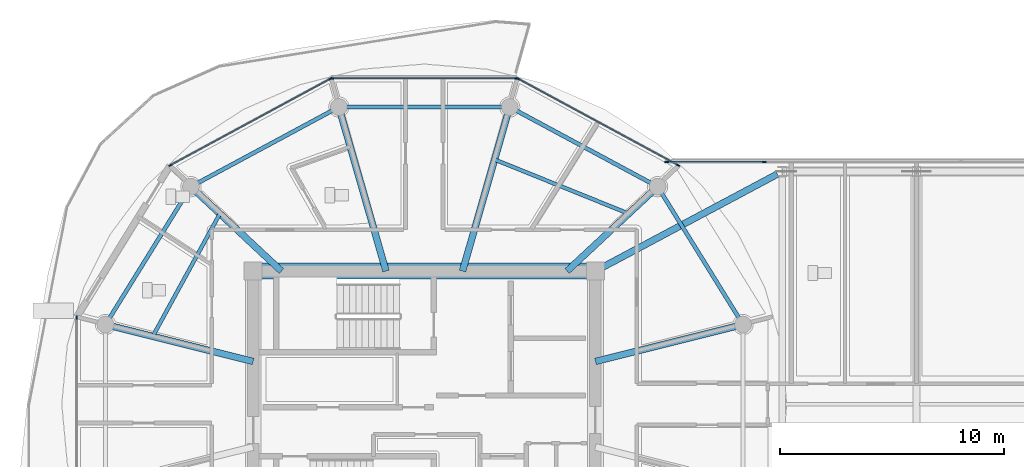
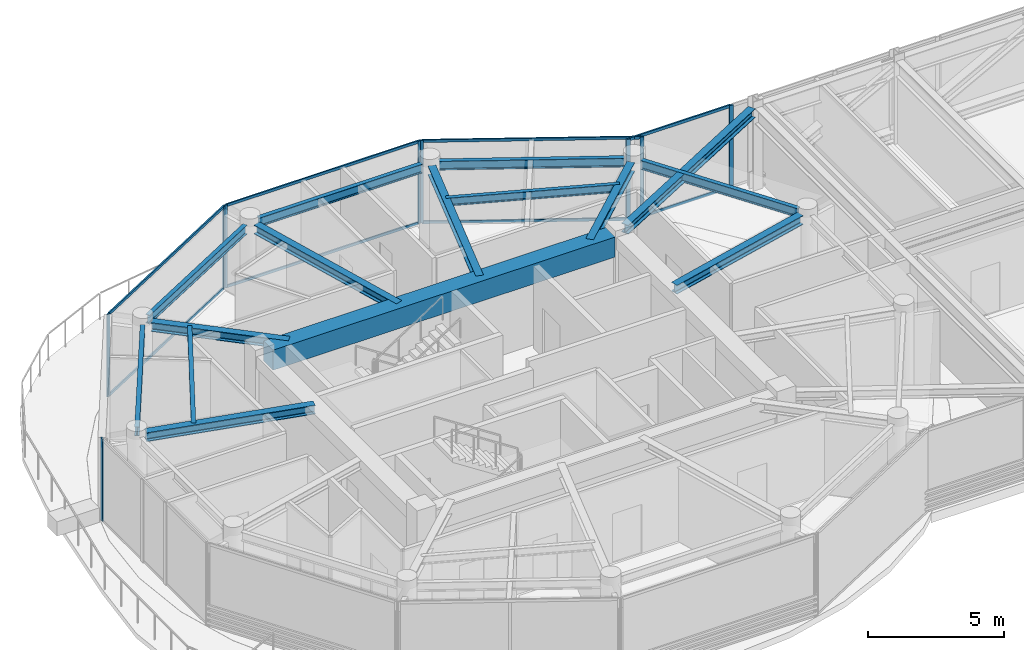
# One storey, part 5 of 31: 17 members, 15 beams, 5 elements without a shape of their own.
"""IFC4 building model written with IfcOpenShell, lengths in metres."""

from ifc_helpers import new_model, si_unit, direction, frame, origin, origin_2d, place, context, subcontext, project, spatial, rectangle, i_section, extrude, source, transform, mapped, material, layer, layer_set, material_profile, profile_set, type_object, type_shapes, element, aggregate, save


model = new_model("IFC4")

# Units and contexts
model_context = context("Model", 3, precision=1e-05, world=origin(), true_north=direction((0.0, 1.0)))
body_context = subcontext(model_context, "Body", "Model", "MODEL_VIEW")
ifc_project = project(units=[si_unit("LENGTHUNIT", "METRE"), si_unit("AREAUNIT", "SQUARE_METRE"), si_unit("VOLUMEUNIT", "CUBIC_METRE"), si_unit("PLANEANGLEUNIT", "RADIAN"), si_unit("MASSUNIT", "GRAM", prefix="KILO")], contexts=[model_context])

# Site, building, storey
site_placement = place(None, origin())
site = spatial("IfcSite", under=ifc_project, at=site_placement, CompositionType="ELEMENT")
building_placement = place(site_placement, origin())
building = spatial("IfcBuilding", under=site, at=building_placement, Name="Norrkilde Senior Care Towers", CompositionType="ELEMENT")
storey_placement = place(building_placement, frame((0.0, 0.0, 199.800048828125)))
storey = spatial("IfcBuildingStorey", under=building, at=storey_placement, Name="L62", CompositionType="ELEMENT", Elevation=199.800048828125)

# Beams
ifc_material_1 = material(Name="Concrete C60/75", Category="concrete")
ifc_material_profile_1 = material_profile(ifc_material_1, rectangle(XDim=0.699951171875, YDim=0.89990234375, at=origin_2d()), Name="RC BM 700x900")
ifc_profile_set_1 = profile_set([ifc_material_profile_1], Name="Concrete C60/75")
beam_type_1 = type_object("IfcBeamType", Name="Core Coupling Girder 700x900", PredefinedType="USERDEFINED", material=ifc_profile_set_1)
shared_shape_1 = source(origin(), body_context, "Body", "SweptSolid", [
    extrude(rectangle(XDim=0.699951171875, YDim=0.89990234375, at=origin_2d()), origin(), (0.0, 0.0, 1.0), 14.5400390625),
])
type_shapes(beam_type_1, [shared_shape_1])
beam_1_placement = place(storey_placement, frame((-35.27001953125, 5.949951171875, 3.260009765625), z_axis=(1.0, 0.0, 0.0), x_axis=(0.0, 1.0, 0.0)))
element("IfcBeam", 1, at=beam_1_placement, inside=storey, type_object=beam_type_1, Name="L62 Core W N Coupling Girder", ObjectType="GIRDER", PredefinedType="USERDEFINED", context=body_context, shape_type="MappedRepresentation", body=[
    mapped(shared_shape_1, transform((0.0, 0.0, 0.0), x_axis=(1.0, 0.0, 0.0), y_axis=(0.0, 1.0, 0.0), z_axis=(0.0, 0.0, 1.0), scale=1.0)),
])
ifc_material_2 = material(Name="Steel S355", Category="steel")
ifc_material_profile_2 = material_profile(ifc_material_2, i_section(OverallWidth=0.179931640625, OverallDepth=0.39990234375, WebThickness=0.008544921875, FlangeThickness=0.013427734375, FilletRadius=0.02099609375, at=origin_2d()), Name="IPE 400")
ifc_profile_set_2 = profile_set([ifc_material_profile_2], Name="Steel S355")
beam_type_2 = type_object("IfcBeamType", Name="Perimeter Ring Spandrel Z4 IPE400", PredefinedType="SPANDREL", material=ifc_profile_set_2)
shared_shape_2 = source(origin(), body_context, "Body", "SweptSolid", [
    extrude(i_section(OverallWidth=0.179931640625, OverallDepth=0.39990234375, WebThickness=0.008544921875, FlangeThickness=0.013427734375, FilletRadius=0.02099609375, at=origin_2d()), origin(), (0.0, 0.0, 1.0), 6.58056640625),
])
for number, where, z_axis, x_axis, name in (
    (2, (-13.928955078125, 3.843505859375, 3.510009765625), (-0.526529583789, 0.850156807533, 0.0), (-0.850156807533, -0.526529583789, 0.0), "L62 Drum W Perimeter Spandrel 01"),
    (3, (-38.606201171875, 9.43798828125, 3.510009765625), (-0.526529583789, -0.850156807533, 0.0), (0.850156807533, -0.526529583789, 0.0), "L62 Drum W Perimeter Spandrel 05"),
):
    element("IfcBeam", number, at=place(storey_placement, frame(where, z_axis=z_axis, x_axis=x_axis)), inside=storey, type_object=beam_type_2, Name=name, PredefinedType="SPANDREL", context=body_context, shape_type="MappedRepresentation", body=[
        mapped(shared_shape_2, transform((0.0, 0.0, 0.0), x_axis=(1.0, 0.0, 0.0), y_axis=(0.0, 1.0, 0.0), z_axis=(0.0, 0.0, 1.0), scale=1.0)),
    ])
ifc_material_profile_3 = material_profile(ifc_material_2, i_section(OverallWidth=0.300048828125, OverallDepth=0.39990234375, WebThickness=0.013427734375, FlangeThickness=0.02392578125, FilletRadius=0.027099609375, at=origin_2d()), Name="HEB 400")
ifc_profile_set_3 = profile_set([ifc_material_profile_3], Name="Steel S355")
beam_type_3 = type_object("IfcBeamType", Name="Radial Floor Beam Z4 HEB400", PredefinedType="BEAM", material=ifc_profile_set_3)
shared_shape_3 = source(origin(), body_context, "Body", "SweptSolid", [
    extrude(i_section(OverallWidth=0.300048828125, OverallDepth=0.39990234375, WebThickness=0.013427734375, FlangeThickness=0.02392578125, FilletRadius=0.027099609375, at=origin_2d()), origin(), (0.0, 0.0, 1.0), 6.465087890625),
])
for number, where, z_axis, x_axis, name in (
    (4, (-20.35009765625, 1.910888671875, 3.510009765625), (0.970195788563, 0.242322371758, 0.0), (-0.242322371758, 0.970195788563, 0.0), "L62 Drum W Radial Floor Beam 01"),
    (5, (-35.64990234375, 1.910888671875, 3.510009765625), (-0.970195788563, 0.242322371758, 0.0), (-0.242322371758, -0.970195788563, 0.0), "L62 Drum W Radial Floor Beam 06"),
):
    element("IfcBeam", number, at=place(storey_placement, frame(where, z_axis=z_axis, x_axis=x_axis)), inside=storey, type_object=beam_type_3, Name=name, PredefinedType="BEAM", context=body_context, shape_type="MappedRepresentation", body=[
        mapped(shared_shape_3, transform((0.0, 0.0, 0.0), x_axis=(1.0, 0.0, 0.0), y_axis=(0.0, 1.0, 0.0), z_axis=(0.0, 0.0, 1.0), scale=1.0)),
    ])
shared_shape_4 = source(origin(), body_context, "Body", "SweptSolid", [
    extrude(i_section(OverallWidth=0.179931640625, OverallDepth=0.39990234375, WebThickness=0.008544921875, FlangeThickness=0.013427734375, FilletRadius=0.02099609375, at=origin_2d()), origin(), (0.0, 0.0, 1.0), 6.839111328125),
])
for number, where, z_axis, x_axis, name in (
    (6, (-17.865234375, 9.881591796875, 3.510009765625), (-0.880563930732, 0.473927382511, 0.0), (-0.473927382511, -0.880563930732, 0.0), "L62 Drum W Perimeter Spandrel 02"),
    (7, (-32.112548828125, 13.122802734375, 3.510009765625), (-0.880563930732, -0.473927382511, 0.0), (0.473927382511, -0.880563930732, 0.0), "L62 Drum W Perimeter Spandrel 04"),
):
    element("IfcBeam", number, at=place(storey_placement, frame(where, z_axis=z_axis, x_axis=x_axis)), inside=storey, type_object=beam_type_2, Name=name, PredefinedType="SPANDREL", context=body_context, shape_type="MappedRepresentation", body=[
        mapped(shared_shape_4, transform((0.0, 0.0, 0.0), x_axis=(1.0, 0.0, 0.0), y_axis=(0.0, 1.0, 0.0), z_axis=(0.0, 0.0, 1.0), scale=1.0)),
    ])
shared_shape_5 = source(origin(), body_context, "Body", "SweptSolid", [
    extrude(i_section(OverallWidth=0.300048828125, OverallDepth=0.39990234375, WebThickness=0.013427734375, FlangeThickness=0.02392578125, FilletRadius=0.027099609375, at=origin_2d()), origin(), (0.0, 0.0, 1.0), 5.197998046875),
])
for number, where, z_axis, x_axis, name in (
    (8, (-21.6171875, 5.949951171875, 3.510009765625), (0.731448749334, 0.681896419625, 0.0), (-0.681896419625, 0.731448749334, 0.0), "L62 Drum W Radial Floor Beam 02"),
    (9, (-34.3828125, 5.949951171875, 3.510009765625), (-0.731448749334, 0.681896419625, 0.0), (-0.681896419625, -0.731448749334, 0.0), "L62 Drum W Radial Floor Beam 05"),
):
    element("IfcBeam", number, at=place(storey_placement, frame(where, z_axis=z_axis, x_axis=x_axis)), inside=storey, type_object=beam_type_3, Name=name, PredefinedType="BEAM", context=body_context, shape_type="MappedRepresentation", body=[
        mapped(shared_shape_5, transform((0.0, 0.0, 0.0), x_axis=(1.0, 0.0, 0.0), y_axis=(0.0, 1.0, 0.0), z_axis=(0.0, 0.0, 1.0), scale=1.0)),
    ])
shared_shape_6 = source(origin(), body_context, "Body", "SweptSolid", [
    extrude(i_section(OverallWidth=0.179931640625, OverallDepth=0.39990234375, WebThickness=0.008544921875, FlangeThickness=0.013427734375, FilletRadius=0.02099609375, at=origin_2d()), origin(), (0.0, 0.0, 1.0), 6.96533203125),
])
type_shapes(beam_type_2, [shared_shape_2, shared_shape_4, shared_shape_6])
beam_2_placement = place(storey_placement, frame((-24.517333984375, 13.281494140625, 3.510009765625), z_axis=(-1.0, 0.0, 0.0), x_axis=(0.0, -1.0, 0.0)))
element("IfcBeam", 10, at=beam_2_placement, inside=storey, type_object=beam_type_2, Name="L62 Drum W Perimeter Spandrel 03", PredefinedType="SPANDREL", context=body_context, shape_type="MappedRepresentation", body=[
    mapped(shared_shape_6, transform((0.0, 0.0, 0.0), x_axis=(1.0, 0.0, 0.0), y_axis=(0.0, 1.0, 0.0), z_axis=(0.0, 0.0, 1.0), scale=1.0)),
])
shared_shape_7 = source(origin(), body_context, "Body", "SweptSolid", [
    extrude(i_section(OverallWidth=0.300048828125, OverallDepth=0.39990234375, WebThickness=0.013427734375, FlangeThickness=0.02392578125, FilletRadius=0.027099609375, at=origin_2d()), origin(), (0.0, 0.0, 1.0), 7.29345703125),
])
for number, where, z_axis, x_axis, name in (
    (11, (-26.289794921875, 5.949951171875, 3.510009765625), (0.276263751906, 0.961081858836, 0.0), (-0.961081858836, 0.276263751906, 0.0), "L62 Drum W Radial Floor Beam 03"),
    (12, (-29.710205078125, 5.949951171875, 3.510009765625), (-0.276263751906, 0.961081858836, 0.0), (-0.961081858836, -0.276263751906, 0.0), "L62 Drum W Radial Floor Beam 04"),
):
    element("IfcBeam", number, at=place(storey_placement, frame(where, z_axis=z_axis, x_axis=x_axis)), inside=storey, type_object=beam_type_3, Name=name, PredefinedType="BEAM", context=body_context, shape_type="MappedRepresentation", body=[
        mapped(shared_shape_7, transform((0.0, 0.0, 0.0), x_axis=(1.0, 0.0, 0.0), y_axis=(0.0, 1.0, 0.0), z_axis=(0.0, 0.0, 1.0), scale=1.0)),
    ])
ifc_material_profile_4 = material_profile(ifc_material_2, i_section(OverallWidth=0.169921875, OverallDepth=0.360107421875, WebThickness=0.008056640625, FlangeThickness=0.0126953125, FilletRadius=0.01806640625, at=origin_2d()), Name="IPE 360")
ifc_profile_set_4 = profile_set([ifc_material_profile_4], Name="Steel S355")
beam_type_4 = type_object("IfcBeamType", Name="Secondary Floor Joist IPE360", PredefinedType="JOIST", material=ifc_profile_set_4)
shared_shape_8 = source(origin(), body_context, "Body", "SweptSolid", [
    extrude(i_section(OverallWidth=0.169921875, OverallDepth=0.360107421875, WebThickness=0.008056640625, FlangeThickness=0.0126953125, FilletRadius=0.01806640625, at=origin_2d()), origin(), (0.0, 0.0, 1.0), 6.461669921875),
])
beam_3_placement = place(storey_placement, frame((-18.865234375, 8.515380859375, 3.530029296875), z_axis=(-0.927225942298, 0.374502405772, 0.0), x_axis=(-0.374502405772, -0.927225942298, 0.0)))
element("IfcBeam", 13, at=beam_3_placement, inside=storey, type_object=beam_type_4, Name="L62 Drum W Secondary Floor Joist 1", PredefinedType="JOIST", context=body_context, shape_type="MappedRepresentation", body=[
    mapped(shared_shape_8, transform((0.0, 0.0, 0.0), x_axis=(1.0, 0.0, 0.0), y_axis=(0.0, 1.0, 0.0), z_axis=(0.0, 0.0, 1.0), scale=1.0)),
])
shared_shape_9 = source(origin(), body_context, "Body", "SweptSolid", [
    extrude(i_section(OverallWidth=0.169921875, OverallDepth=0.360107421875, WebThickness=0.008056640625, FlangeThickness=0.0126953125, FilletRadius=0.01806640625, at=origin_2d()), origin(), (0.0, 0.0, 1.0), 6.25146484375),
])
type_shapes(beam_type_4, [shared_shape_8, shared_shape_9])
beam_4_placement = place(storey_placement, frame((-37.134765625, 8.515380859375, 3.530029296875), z_axis=(-0.480115752653, -0.877205143655, 0.0), x_axis=(0.877205143655, -0.480115752653, 0.0)))
element("IfcBeam", 14, at=beam_4_placement, inside=storey, type_object=beam_type_4, Name="L62 Drum W Secondary Floor Joist 2", PredefinedType="JOIST", context=body_context, shape_type="MappedRepresentation", body=[
    mapped(shared_shape_9, transform((0.0, 0.0, 0.0), x_axis=(1.0, 0.0, 0.0), y_axis=(0.0, 1.0, 0.0), z_axis=(0.0, 0.0, 1.0), scale=1.0)),
])
shared_shape_10 = source(origin(), body_context, "Body", "SweptSolid", [
    extrude(i_section(OverallWidth=0.300048828125, OverallDepth=0.39990234375, WebThickness=0.013427734375, FlangeThickness=0.02392578125, FilletRadius=0.027099609375, at=origin_2d()), origin(), (0.0, 0.0, 1.0), 8.831787109375),
])
type_shapes(beam_type_3, [shared_shape_3, shared_shape_5, shared_shape_7, shared_shape_10])
beam_5_placement = place(storey_placement, frame((-20.0146484375, 6.128662109375, 3.510009765625), z_axis=(0.882492172381, 0.470327083727, 0.0), x_axis=(-0.470327083727, 0.882492172381, 0.0)))
element("IfcBeam", 15, at=beam_5_placement, inside=storey, type_object=beam_type_3, Name="L62 Sky-Gate Bridge Girder N1", PredefinedType="BEAM", context=body_context, shape_type="MappedRepresentation", body=[
    mapped(shared_shape_10, transform((0.0, 0.0, 0.0), x_axis=(1.0, 0.0, 0.0), y_axis=(0.0, 1.0, 0.0), z_axis=(0.0, 0.0, 1.0), scale=1.0)),
])

# Curtain wall, members
ifc_material_3 = material(Name="Triple Low-E Insulated Glazing", Category="glass")
ifc_layer_1 = layer(ifc_material_3, 0.18505859375)
ifc_layer_set_1 = layer_set([ifc_layer_1], Name="Triple Low-E Insulated Glazing")
curtain_wall_type_1 = type_object("IfcCurtainWallType", Name="CW6 Zone 4 Crown Pavilion Curtain Wall", PredefinedType="NOTDEFINED", material=ifc_layer_set_1)
curtain_wall_1_placement = place(storey_placement, origin())
curtain_wall_1 = element("IfcCurtainWall", 16, at=curtain_wall_1_placement, inside=storey, type_object=curtain_wall_type_1, Name="L62 Drum W Curtain Wall 02", PredefinedType="NOTDEFINED")
ifc_material_4 = material(Name="Anodised Aluminium", Category="aluminium")
ifc_material_profile_5 = material_profile(ifc_material_4, rectangle(XDim=0.06005859375, YDim=0.1201171875, at=origin_2d()), Name="ALU TRAN 60x120")
ifc_profile_set_5 = profile_set([ifc_material_profile_5], Name="Anodised Aluminium")
member_type_1 = type_object("IfcMemberType", Name="Curtain Wall Transom Typical 60x120", PredefinedType="USERDEFINED", material=ifc_profile_set_5)
shared_shape_11 = source(origin(), body_context, "Body", "SweptSolid", [
    extrude(rectangle(XDim=0.06005859375, YDim=0.1201171875, at=origin_2d()), origin(), (0.0, 0.0, 1.0), 8.19384765625),
])
member_1_placement = place(storey_placement, frame((-32.096923828125, 14.566162109375, 0.030029296875), z_axis=(1.0, 0.0, 0.0), x_axis=(0.0, 1.0, 0.0)))
member_1 = element("IfcMember", 17, at=member_1_placement, type_object=member_type_1, Name="CW-6 transom 1.1", ObjectType="TRANSOM", PredefinedType="USERDEFINED", context=body_context, shape_type="MappedRepresentation", body=[
    mapped(shared_shape_11, transform((0.0, 0.0, 0.0), x_axis=(1.0, 0.0, 0.0), y_axis=(0.0, 1.0, 0.0), z_axis=(0.0, 0.0, 1.0), scale=1.0)),
])
member_2_placement = place(storey_placement, frame((-32.096923828125, 14.566162109375, 3.679931640625), z_axis=(1.0, 0.0, 0.0), x_axis=(0.0, 1.0, 0.0)))
member_2 = element("IfcMember", 18, at=member_2_placement, type_object=member_type_1, Name="CW-6 transom 1.2", ObjectType="TRANSOM", PredefinedType="USERDEFINED", context=body_context, shape_type="MappedRepresentation", body=[
    mapped(shared_shape_11, transform((0.0, 0.0, 0.0), x_axis=(1.0, 0.0, 0.0), y_axis=(0.0, 1.0, 0.0), z_axis=(0.0, 0.0, 1.0), scale=1.0)),
])

curtain_wall_2_placement = place(storey_placement, origin())
curtain_wall_2 = element("IfcCurtainWall", 19, at=curtain_wall_2_placement, inside=storey, type_object=curtain_wall_type_1, Name="L62 Drum W Curtain Wall 01", PredefinedType="NOTDEFINED")
shared_shape_12 = source(origin(), body_context, "Body", "SweptSolid", [
    extrude(rectangle(XDim=0.06005859375, YDim=0.1201171875, at=origin_2d()), origin(), (0.0, 0.0, 1.0), 8.0673828125),
])
type_shapes(member_type_1, [shared_shape_11, shared_shape_12])
member_3_placement = place(storey_placement, frame((-23.781005859375, 14.53515625, 0.030029296875), z_axis=(0.87937750072, -0.476125205411, 0.0), x_axis=(0.476125205411, 0.87937750072, 0.0)))
member_3 = element("IfcMember", 20, at=member_3_placement, type_object=member_type_1, Name="CW-6 transom 1.1", ObjectType="TRANSOM", PredefinedType="USERDEFINED", context=body_context, shape_type="MappedRepresentation", body=[
    mapped(shared_shape_12, transform((0.0, 0.0, 0.0), x_axis=(1.0, 0.0, 0.0), y_axis=(0.0, 1.0, 0.0), z_axis=(0.0, 0.0, 1.0), scale=1.0)),
])
member_4_placement = place(storey_placement, frame((-23.781005859375, 14.53515625, 3.679931640625), z_axis=(0.87937750072, -0.476125205411, 0.0), x_axis=(0.476125205411, 0.87937750072, 0.0)))
member_4 = element("IfcMember", 21, at=member_4_placement, type_object=member_type_1, Name="CW-6 transom 1.2", ObjectType="TRANSOM", PredefinedType="USERDEFINED", context=body_context, shape_type="MappedRepresentation", body=[
    mapped(shared_shape_12, transform((0.0, 0.0, 0.0), x_axis=(1.0, 0.0, 0.0), y_axis=(0.0, 1.0, 0.0), z_axis=(0.0, 0.0, 1.0), scale=1.0)),
])

curtain_wall_3_placement = place(storey_placement, origin())
curtain_wall_3 = element("IfcCurtainWall", 22, at=curtain_wall_3_placement, inside=storey, type_object=curtain_wall_type_1, Name="L62 Drum W Curtain Wall 03", PredefinedType="NOTDEFINED")
member_5_placement = place(storey_placement, frame((-39.313232421875, 10.694091796875, 0.030029296875), z_axis=(0.87937750072, 0.476125205411, 0.0), x_axis=(-0.476125205411, 0.87937750072, 0.0)))
member_5 = element("IfcMember", 23, at=member_5_placement, type_object=member_type_1, Name="CW-6 transom 1.1", ObjectType="TRANSOM", PredefinedType="USERDEFINED", context=body_context, shape_type="MappedRepresentation", body=[
    mapped(shared_shape_12, transform((0.0, 0.0, 0.0), x_axis=(1.0, 0.0, 0.0), y_axis=(0.0, 1.0, 0.0), z_axis=(0.0, 0.0, 1.0), scale=1.0)),
])
member_6_placement = place(storey_placement, frame((-39.313232421875, 10.694091796875, 3.679931640625), z_axis=(0.87937750072, 0.476125205411, 0.0), x_axis=(-0.476125205411, 0.87937750072, 0.0)))
member_6 = element("IfcMember", 24, at=member_6_placement, type_object=member_type_1, Name="CW-6 transom 1.2", ObjectType="TRANSOM", PredefinedType="USERDEFINED", context=body_context, shape_type="MappedRepresentation", body=[
    mapped(shared_shape_12, transform((0.0, 0.0, 0.0), x_axis=(1.0, 0.0, 0.0), y_axis=(0.0, 1.0, 0.0), z_axis=(0.0, 0.0, 1.0), scale=1.0)),
])

# Member
ifc_material_profile_6 = material_profile(ifc_material_4, rectangle(XDim=0.06494140625, YDim=0.14990234375, at=origin_2d()), Name="ALU MULL 65x150")
ifc_profile_set_6 = profile_set([ifc_material_profile_6], Name="Anodised Aluminium")
member_type_2 = type_object("IfcMemberType", Name="Curtain Wall Mullion Z3-Z4 65x150", PredefinedType="MULLION", material=ifc_profile_set_6)
shared_shape_13 = source(origin(), body_context, "Body", "SweptSolid", [
    extrude(rectangle(XDim=0.06494140625, YDim=0.14990234375, at=origin_2d()), origin(), (0.0, 0.0, 1.0), 3.7099609375),
])
type_shapes(member_type_2, [shared_shape_13])
member_7_placement = place(storey_placement, frame((-23.8095703125, 14.55078125, 0.0), z_axis=(0.0, 0.0, 1.0), x_axis=(0.476132676136, 0.879373455772, 0.0)))
member_7 = element("IfcMember", 25, at=member_7_placement, type_object=member_type_2, Name="CW-6 mullion 1", PredefinedType="MULLION", context=body_context, shape_type="MappedRepresentation", body=[
    mapped(shared_shape_13, transform((0.0, 0.0, 0.0), x_axis=(1.0, 0.0, 0.0), y_axis=(0.0, 1.0, 0.0), z_axis=(0.0, 0.0, 1.0), scale=1.0)),
])

member_8_placement = place(storey_placement, frame((-16.658203125, 10.6787109375, 0.0), z_axis=(0.0, 0.0, 1.0), x_axis=(0.476132676136, 0.879373455772, 0.0)))
member_8 = element("IfcMember", 26, at=member_8_placement, type_object=member_type_2, Name="CW-6 mullion 2", PredefinedType="MULLION", context=body_context, shape_type="MappedRepresentation", body=[
    mapped(shared_shape_13, transform((0.0, 0.0, 0.0), x_axis=(1.0, 0.0, 0.0), y_axis=(0.0, 1.0, 0.0), z_axis=(0.0, 0.0, 1.0), scale=1.0)),
])

aggregate(curtain_wall_2, [member_7, member_8, member_3, member_4])

member_9_placement = place(storey_placement, frame((-32.12939453125, 14.566162109375, 0.0), z_axis=(0.0, 0.0, 1.0), x_axis=(0.0, 1.0, 0.0)))
member_9 = element("IfcMember", 27, at=member_9_placement, type_object=member_type_2, Name="CW-6 mullion 1", PredefinedType="MULLION", context=body_context, shape_type="MappedRepresentation", body=[
    mapped(shared_shape_13, transform((0.0, 0.0, 0.0), x_axis=(1.0, 0.0, 0.0), y_axis=(0.0, 1.0, 0.0), z_axis=(0.0, 0.0, 1.0), scale=1.0)),
])

member_10_placement = place(storey_placement, frame((-23.87060546875, 14.566162109375, 0.0), z_axis=(0.0, 0.0, 1.0), x_axis=(0.0, 1.0, 0.0)))
member_10 = element("IfcMember", 28, at=member_10_placement, type_object=member_type_2, Name="CW-6 mullion 2", PredefinedType="MULLION", context=body_context, shape_type="MappedRepresentation", body=[
    mapped(shared_shape_13, transform((0.0, 0.0, 0.0), x_axis=(1.0, 0.0, 0.0), y_axis=(0.0, 1.0, 0.0), z_axis=(0.0, 0.0, 1.0), scale=1.0)),
])

aggregate(curtain_wall_1, [member_9, member_10, member_1, member_2])

member_11_placement = place(storey_placement, frame((-39.341796875, 10.6787109375, 0.0), z_axis=(0.0, 0.0, 1.0), x_axis=(-0.476132676136, 0.879373455772, 0.0)))
member_11 = element("IfcMember", 29, at=member_11_placement, type_object=member_type_2, Name="CW-6 mullion 1", PredefinedType="MULLION", context=body_context, shape_type="MappedRepresentation", body=[
    mapped(shared_shape_13, transform((0.0, 0.0, 0.0), x_axis=(1.0, 0.0, 0.0), y_axis=(0.0, 1.0, 0.0), z_axis=(0.0, 0.0, 1.0), scale=1.0)),
])

member_12_placement = place(storey_placement, frame((-32.1904296875, 14.55078125, 0.0), z_axis=(0.0, 0.0, 1.0), x_axis=(-0.476132676136, 0.879373455772, 0.0)))
member_12 = element("IfcMember", 30, at=member_12_placement, type_object=member_type_2, Name="CW-6 mullion 2", PredefinedType="MULLION", context=body_context, shape_type="MappedRepresentation", body=[
    mapped(shared_shape_13, transform((0.0, 0.0, 0.0), x_axis=(1.0, 0.0, 0.0), y_axis=(0.0, 1.0, 0.0), z_axis=(0.0, 0.0, 1.0), scale=1.0)),
])

aggregate(curtain_wall_3, [member_11, member_12, member_5, member_6])

# Curtain wall, member
curtain_wall_4_placement = place(storey_placement, origin())
curtain_wall_4 = element("IfcCurtainWall", 31, at=curtain_wall_4_placement, inside=storey, type_object=curtain_wall_type_1, Name="L62 Drum W Curtain Wall 05", PredefinedType="NOTDEFINED")
member_13_placement = place(storey_placement, frame((-43.531982421875, 3.87060546875, 0.0), z_axis=(0.0, 0.0, 1.0), x_axis=(-1.0, 0.0, 0.0)))
member_13 = element("IfcMember", 32, at=member_13_placement, type_object=member_type_2, Name="CW-6 mullion 2", PredefinedType="MULLION", context=body_context, shape_type="MappedRepresentation", body=[
    mapped(shared_shape_13, transform((0.0, 0.0, 0.0), x_axis=(1.0, 0.0, 0.0), y_axis=(0.0, 1.0, 0.0), z_axis=(0.0, 0.0, 1.0), scale=1.0)),
])
aggregate(curtain_wall_4, [member_13])

# Curtain wall, members
ifc_layer_2 = layer(ifc_material_3, 0.2099609375)
ifc_layer_set_2 = layer_set([ifc_layer_2], Name="Triple Low-E Insulated Glazing")
curtain_wall_type_2 = type_object("IfcCurtainWallType", Name="CW5 Sky-Gate Bridge Curtain Wall", PredefinedType="NOTDEFINED", material=ifc_layer_set_2)
curtain_wall_5_placement = place(storey_placement, origin())
curtain_wall_5 = element("IfcCurtainWall", 33, at=curtain_wall_5_placement, inside=storey, type_object=curtain_wall_type_2, Name="L62 Sky-Gate Bridge North Curtain Wall 1", PredefinedType="NOTDEFINED")
ifc_material_profile_7 = material_profile(ifc_material_4, rectangle(XDim=0.070068359375, YDim=0.169921875, at=origin_2d()), Name="ALU MULL 70x170")
ifc_profile_set_7 = profile_set([ifc_material_profile_7], Name="Anodised Aluminium")
member_type_3 = type_object("IfcMemberType", Name="Curtain Wall Mullion Heavy 70x170", PredefinedType="MULLION", material=ifc_profile_set_7)
shared_shape_14 = source(origin(), body_context, "Body", "SweptSolid", [
    extrude(rectangle(XDim=0.070068359375, YDim=0.169921875, at=origin_2d()), origin(), (0.0, 0.0, 1.0), 3.7099609375),
])
type_shapes(member_type_3, [shared_shape_14])
member_14_placement = place(storey_placement, frame((-17.1650390625, 10.820068359375, 0.0), z_axis=(0.0, 0.0, 1.0), x_axis=(0.0, 1.0, 0.0)))
member_14 = element("IfcMember", 34, at=member_14_placement, type_object=member_type_3, Name="CW-5 mullion 1", PredefinedType="MULLION", context=body_context, shape_type="MappedRepresentation", body=[
    mapped(shared_shape_14, transform((0.0, 0.0, 0.0), x_axis=(1.0, 0.0, 0.0), y_axis=(0.0, 1.0, 0.0), z_axis=(0.0, 0.0, 1.0), scale=1.0)),
])
member_15_placement = place(storey_placement, frame((-12.800048828125, 10.820068359375, 0.0), z_axis=(0.0, 0.0, 1.0), x_axis=(0.0, 1.0, 0.0)))
member_15 = element("IfcMember", 35, at=member_15_placement, type_object=member_type_3, Name="CW-5 mullion 2", PredefinedType="MULLION", context=body_context, shape_type="MappedRepresentation", body=[
    mapped(shared_shape_14, transform((0.0, 0.0, 0.0), x_axis=(1.0, 0.0, 0.0), y_axis=(0.0, 1.0, 0.0), z_axis=(0.0, 0.0, 1.0), scale=1.0)),
])
ifc_material_profile_8 = material_profile(ifc_material_4, rectangle(XDim=0.06494140625, YDim=0.1298828125, at=origin_2d()), Name="ALU TRAN 65x130")
ifc_profile_set_8 = profile_set([ifc_material_profile_8], Name="Anodised Aluminium")
member_type_4 = type_object("IfcMemberType", Name="Curtain Wall Transom Heavy 65x130", PredefinedType="USERDEFINED", material=ifc_profile_set_8)
shared_shape_15 = source(origin(), body_context, "Body", "SweptSolid", [
    extrude(rectangle(XDim=0.06494140625, YDim=0.1298828125, at=origin_2d()), origin(), (0.0, 0.0, 1.0), 4.294921875),
])
type_shapes(member_type_4, [shared_shape_15])
member_16_placement = place(storey_placement, frame((-17.1298828125, 10.820068359375, 0.032470703125), z_axis=(1.0, 0.0, 0.0), x_axis=(0.0, 1.0, 0.0)))
member_16 = element("IfcMember", 36, at=member_16_placement, type_object=member_type_4, Name="CW-5 transom 1.1", ObjectType="TRANSOM", PredefinedType="USERDEFINED", context=body_context, shape_type="MappedRepresentation", body=[
    mapped(shared_shape_15, transform((0.0, 0.0, 0.0), x_axis=(1.0, 0.0, 0.0), y_axis=(0.0, 1.0, 0.0), z_axis=(0.0, 0.0, 1.0), scale=1.0)),
])
member_17_placement = place(storey_placement, frame((-17.1298828125, 10.820068359375, 3.677490234375), z_axis=(1.0, 0.0, 0.0), x_axis=(0.0, 1.0, 0.0)))
member_17 = element("IfcMember", 37, at=member_17_placement, type_object=member_type_4, Name="CW-5 transom 1.2", ObjectType="TRANSOM", PredefinedType="USERDEFINED", context=body_context, shape_type="MappedRepresentation", body=[
    mapped(shared_shape_15, transform((0.0, 0.0, 0.0), x_axis=(1.0, 0.0, 0.0), y_axis=(0.0, 1.0, 0.0), z_axis=(0.0, 0.0, 1.0), scale=1.0)),
])
aggregate(curtain_wall_5, [member_14, member_15, member_16, member_17])

save(model, "model.ifc")
